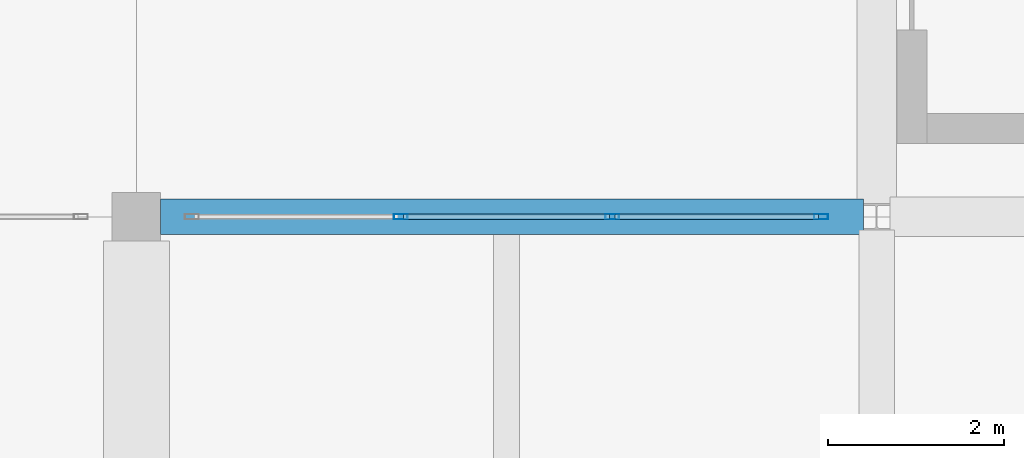
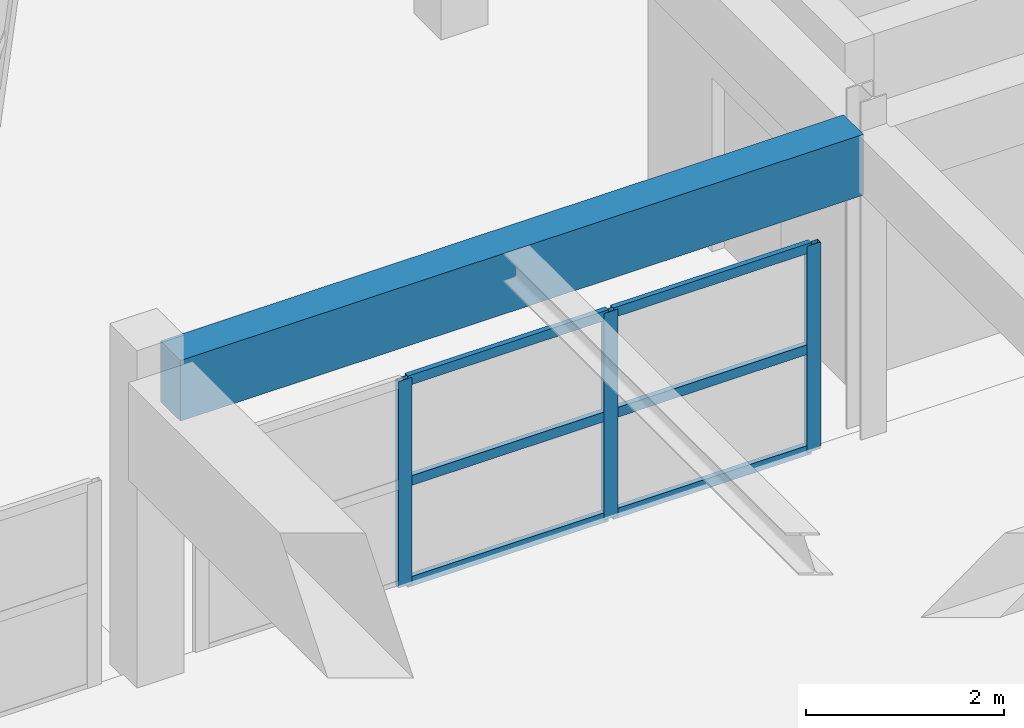
# One storey, part 26 of 74: 9 members, 1 beam, 1 element without a shape of its own.
"""IFC4 building model written with IfcOpenShell, lengths in metres."""

from ifc_helpers import new_model, si_unit, direction, frame, origin, origin_2d, place, context, subcontext, project, spatial, rectangle, hollow_rectangle, extrude, material, material_profile, profile_set, type_object, element, aggregate, save


model = new_model("IFC4")

# Units and contexts
model_context = context("Model", 3, precision=1e-05, world=origin(), true_north=direction((0.0, 1.0)))
body_context = subcontext(model_context, "Body", "Model", "MODEL_VIEW")
ifc_project = project(units=[si_unit("LENGTHUNIT", "METRE"), si_unit("AREAUNIT", "SQUARE_METRE"), si_unit("VOLUMEUNIT", "CUBIC_METRE"), si_unit("PLANEANGLEUNIT", "RADIAN"), si_unit("MASSUNIT", "GRAM", prefix="KILO")], contexts=[model_context])

# Site, building, storey
site_placement = place(None, origin())
site = spatial("IfcSite", under=ifc_project, at=site_placement, CompositionType="ELEMENT")
building_placement = place(site_placement, origin())
building = spatial("IfcBuilding", under=site, at=building_placement, Name="Korsvaeld Concert Hall", CompositionType="ELEMENT")
storey_placement = place(building_placement, frame((0.0, 0.0, 9.0)))
storey = spatial("IfcBuildingStorey", under=building, at=storey_placement, Name="L02", CompositionType="ELEMENT", Elevation=9.0)

# Beam
ifc_material_1 = material(Name="Concrete C35/45", Category="concrete")
ifc_material_profile_1 = material_profile(ifc_material_1, rectangle(XDim=0.39990234375, YDim=0.75, at=origin_2d()), Name="RC 400x750")
ifc_profile_set_1 = profile_set([ifc_material_profile_1], Name="Concrete C35/45")
beam_type = type_object("IfcBeamType", Name="BM-RC-400x750", PredefinedType="T_BEAM", material=ifc_profile_set_1)
beam_placement = place(storey_placement, frame((101.074951171875, 43.199951171875, 3.465087890625), z_axis=(1.0, 0.0, 0.0), x_axis=(0.0, 1.0, 0.0)))
element("IfcBeam", 1, at=beam_placement, inside=storey, type_object=beam_type, Name="Primary girder 14-15/G L02", PredefinedType="T_BEAM", context=body_context, shape_type="SweptSolid", body=[
    extrude(rectangle(XDim=0.39990234375, YDim=0.75, at=origin_2d()), origin(), (0.0, 0.0, 1.0), 7.97509765625),
])

# Curtain wall, members
ifc_material_2 = material(Name="Anodised bronze and ceramic-fritted safety glass", Category="glass")
curtain_wall_type = type_object("IfcCurtainWallType", Name="CW-TYPE-12", PredefinedType="USERDEFINED", material=ifc_material_2)
curtain_wall_placement = place(storey_placement, origin())
curtain_wall = element("IfcCurtainWall", 2, at=curtain_wall_placement, inside=storey, type_object=curtain_wall_type, Name="Glazed foyer acoustic screen L02-36", ObjectType="CURTAIN WALL", PredefinedType="USERDEFINED")
ifc_material_3 = material(Name="Anodised architectural bronze aluminium", Category="aluminium")
ifc_material_profile_2 = material_profile(ifc_material_3, hollow_rectangle(XDim=0.06005859375, YDim=0.159912109375, WallThickness=0.00390625, at=origin_2d()), Name="CWM 160x60x4")
ifc_profile_set_2 = profile_set([ifc_material_profile_2], Name="Anodised architectural bronze aluminium")
member_type_1 = type_object("IfcMemberType", Name="CWM-ALUM-160x60", PredefinedType="MULLION", material=ifc_profile_set_2)
member_1_placement = place(storey_placement, frame((103.800048828125, 43.199951171875, 0.0), z_axis=(0.0, 0.0, 1.0), x_axis=(0.0, 1.0, 0.0)))
member_1 = element("IfcMember", 3, at=member_1_placement, type_object=member_type_1, Name="CW-12 mullion 2", PredefinedType="MULLION", context=body_context, shape_type="SweptSolid", body=[
    extrude(hollow_rectangle(XDim=0.06005859375, YDim=0.159912109375, WallThickness=0.00390625, at=origin_2d()), origin(), (0.0, 0.0, 1.0), 2.550048828125),
])
member_2_placement = place(storey_placement, frame((106.199951171875, 43.199951171875, 0.0), z_axis=(0.0, 0.0, 1.0), x_axis=(0.0, 1.0, 0.0)))
member_2 = element("IfcMember", 4, at=member_2_placement, type_object=member_type_1, Name="CW-12 mullion 3", PredefinedType="MULLION", context=body_context, shape_type="SweptSolid", body=[
    extrude(hollow_rectangle(XDim=0.06005859375, YDim=0.159912109375, WallThickness=0.00390625, at=origin_2d()), origin(), (0.0, 0.0, 1.0), 2.550048828125),
])
member_3_placement = place(storey_placement, frame((108.570068359375, 43.199951171875, 0.0), z_axis=(0.0, 0.0, 1.0), x_axis=(0.0, 1.0, 0.0)))
member_3 = element("IfcMember", 5, at=member_3_placement, type_object=member_type_1, Name="CW-12 mullion 4", PredefinedType="MULLION", context=body_context, shape_type="SweptSolid", body=[
    extrude(hollow_rectangle(XDim=0.06005859375, YDim=0.159912109375, WallThickness=0.00390625, at=origin_2d()), origin(), (0.0, 0.0, 1.0), 2.550048828125),
])
ifc_material_profile_3 = material_profile(ifc_material_3, hollow_rectangle(XDim=0.06005859375, YDim=0.1201171875, WallThickness=0.00390625, at=origin_2d()), Name="CWT 120x60x4")
ifc_profile_set_3 = profile_set([ifc_material_profile_3], Name="Anodised architectural bronze aluminium")
member_type_2 = type_object("IfcMemberType", Name="CWT-ALUM-120x60", PredefinedType="USERDEFINED", material=ifc_profile_set_3)
member_4_placement = place(storey_placement, frame((103.830078125, 43.199951171875, 0.030029296875), z_axis=(1.0, 0.0, 0.0), x_axis=(0.0, 1.0, 0.0)))
member_4 = element("IfcMember", 6, at=member_4_placement, type_object=member_type_2, Name="CW-12 transom 2.1", ObjectType="TRANSOM", PredefinedType="USERDEFINED", context=body_context, shape_type="SweptSolid", body=[
    extrude(hollow_rectangle(XDim=0.06005859375, YDim=0.1201171875, WallThickness=0.00390625, at=origin_2d()), origin(), (0.0, 0.0, 1.0), 2.33984375),
])
member_5_placement = place(storey_placement, frame((103.830078125, 43.199951171875, 1.27490234375), z_axis=(1.0, 0.0, 0.0), x_axis=(0.0, 1.0, 0.0)))
member_5 = element("IfcMember", 7, at=member_5_placement, type_object=member_type_2, Name="CW-12 transom 2.2", ObjectType="TRANSOM", PredefinedType="USERDEFINED", context=body_context, shape_type="SweptSolid", body=[
    extrude(hollow_rectangle(XDim=0.06005859375, YDim=0.1201171875, WallThickness=0.00390625, at=origin_2d()), origin(), (0.0, 0.0, 1.0), 2.33984375),
])
member_6_placement = place(storey_placement, frame((103.830078125, 43.199951171875, 2.52001953125), z_axis=(1.0, 0.0, 0.0), x_axis=(0.0, 1.0, 0.0)))
member_6 = element("IfcMember", 8, at=member_6_placement, type_object=member_type_2, Name="CW-12 transom 2.3", ObjectType="TRANSOM", PredefinedType="USERDEFINED", context=body_context, shape_type="SweptSolid", body=[
    extrude(hollow_rectangle(XDim=0.06005859375, YDim=0.1201171875, WallThickness=0.00390625, at=origin_2d()), origin(), (0.0, 0.0, 1.0), 2.33984375),
])
member_7_placement = place(storey_placement, frame((106.22998046875, 43.199951171875, 0.030029296875), z_axis=(1.0, 0.0, 0.0), x_axis=(0.0, 1.0, 0.0)))
member_7 = element("IfcMember", 9, at=member_7_placement, type_object=member_type_2, Name="CW-12 transom 3.1", ObjectType="TRANSOM", PredefinedType="USERDEFINED", context=body_context, shape_type="SweptSolid", body=[
    extrude(hollow_rectangle(XDim=0.06005859375, YDim=0.1201171875, WallThickness=0.00390625, at=origin_2d()), origin(), (0.0, 0.0, 1.0), 2.31005859375),
])
member_8_placement = place(storey_placement, frame((106.22998046875, 43.199951171875, 1.27490234375), z_axis=(1.0, 0.0, 0.0), x_axis=(0.0, 1.0, 0.0)))
member_8 = element("IfcMember", 10, at=member_8_placement, type_object=member_type_2, Name="CW-12 transom 3.2", ObjectType="TRANSOM", PredefinedType="USERDEFINED", context=body_context, shape_type="SweptSolid", body=[
    extrude(hollow_rectangle(XDim=0.06005859375, YDim=0.1201171875, WallThickness=0.00390625, at=origin_2d()), origin(), (0.0, 0.0, 1.0), 2.31005859375),
])
member_9_placement = place(storey_placement, frame((106.22998046875, 43.199951171875, 2.52001953125), z_axis=(1.0, 0.0, 0.0), x_axis=(0.0, 1.0, 0.0)))
member_9 = element("IfcMember", 11, at=member_9_placement, type_object=member_type_2, Name="CW-12 transom 3.3", ObjectType="TRANSOM", PredefinedType="USERDEFINED", context=body_context, shape_type="SweptSolid", body=[
    extrude(hollow_rectangle(XDim=0.06005859375, YDim=0.1201171875, WallThickness=0.00390625, at=origin_2d()), origin(), (0.0, 0.0, 1.0), 2.31005859375),
])
aggregate(curtain_wall, [member_1, member_2, member_3, member_4, member_5, member_6, member_7, member_8, member_9])

save(model, "model.ifc")
